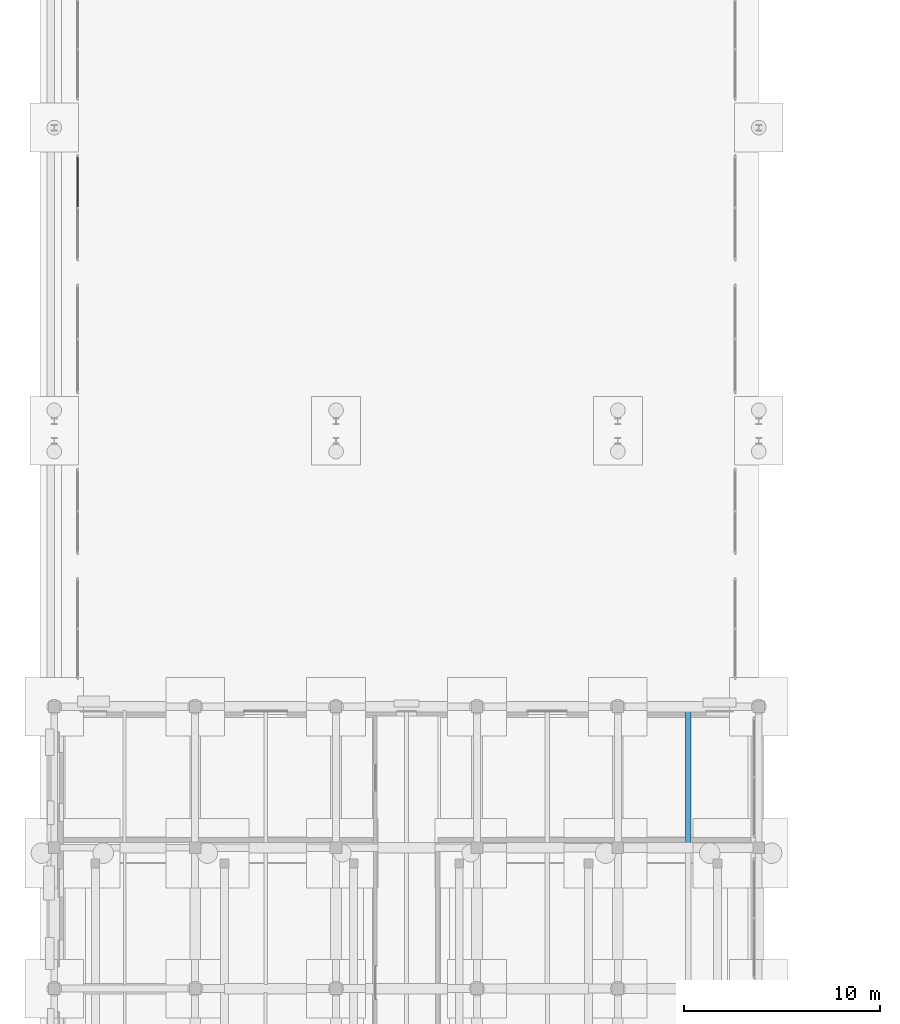
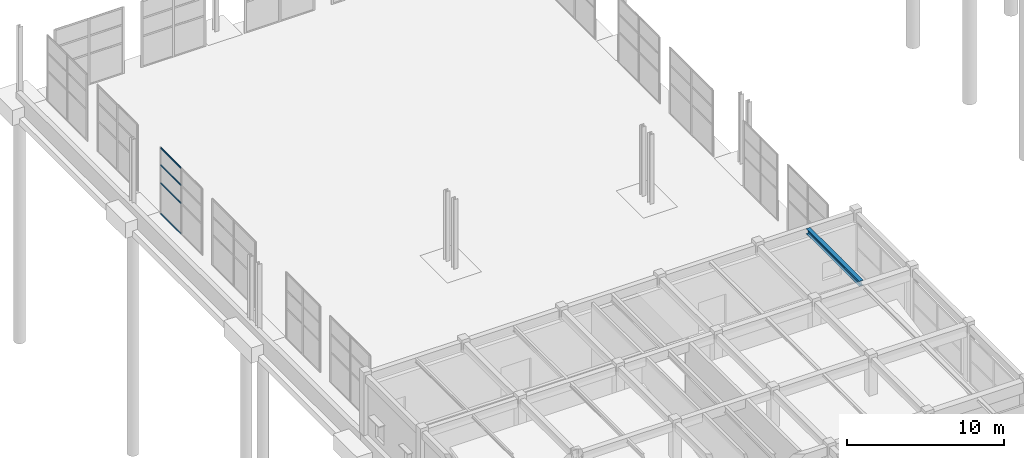
# One storey, part 35 of 91: 4 members, 1 beam, 1 element without a shape of its own.
"""IFC4 building model written with IfcOpenShell, lengths in metres."""

from ifc_helpers import new_model, si_unit, direction, frame, origin, origin_2d, place, context, subcontext, project, spatial, hollow_rectangle, i_section, extrude, material, material_profile, profile_set, type_object, element, aggregate, save


model = new_model("IFC4")

# Units and contexts
model_context = context("Model", 3, precision=1e-05, world=origin(), true_north=direction((0.0, 1.0)))
body_context = subcontext(model_context, "Body", "Model", "MODEL_VIEW")
ifc_project = project(units=[si_unit("LENGTHUNIT", "METRE"), si_unit("AREAUNIT", "SQUARE_METRE"), si_unit("VOLUMEUNIT", "CUBIC_METRE"), si_unit("PLANEANGLEUNIT", "RADIAN"), si_unit("MASSUNIT", "GRAM", prefix="KILO")], contexts=[model_context])

# Site, building, storey
site_placement = place(None, origin())
site = spatial("IfcSite", under=ifc_project, at=site_placement, CompositionType="ELEMENT")
building_placement = place(site_placement, origin())
building = spatial("IfcBuilding", under=site, at=building_placement, Name="Bramveld Media Centre", CompositionType="ELEMENT")
storey_placement = place(building_placement, origin())
storey = spatial("IfcBuildingStorey", under=building, at=storey_placement, Name="L00", CompositionType="ELEMENT", Elevation=0.0)

# Curtain wall, members
ifc_material_1 = material(Name="Thermally broken anodized bronze aluminium unitized curtain wall with solar-control triple glazing", Category="aluminium")
curtain_wall_type = type_object("IfcCurtainWallType", Name="CW-GAL-5300x5160", PredefinedType="NOTDEFINED", material=ifc_material_1)
curtain_wall_placement = place(storey_placement, origin())
curtain_wall = element("IfcCurtainWall", 1, at=curtain_wall_placement, inside=storey, type_object=curtain_wall_type, Name="COLN-W colonnade glazed screen 5", PredefinedType="NOTDEFINED")
ifc_material_2 = material(Name="Thermally broken anodized bronze aluminium EN AW-6063 T6 curtain-wall framing", Category="aluminium")
ifc_material_profile_1 = material_profile(ifc_material_2, hollow_rectangle(XDim=0.06005859375, YDim=0.1201171875, WallThickness=0.00341796875, InnerFilletRadius=0.00341796875, OuterFilletRadius=0.007080078125, at=origin_2d()), Name="AL-TRAN 60x120")
ifc_profile_set_1 = profile_set([ifc_material_profile_1], Name="Thermally broken anodized bronze aluminium EN AW-6063 T6 curtain-wall framing")
member_type = type_object("IfcMemberType", Name="CW-TRAN-EXT", PredefinedType="USERDEFINED", material=ifc_profile_set_1)
member_1_placement = place(storey_placement, frame((1.199951171875, 93.530029296875, 0.030029296875), z_axis=(0.0, 1.0, 0.0), x_axis=(-1.0, 0.0, 0.0)))
member_1 = element("IfcMember", 2, at=member_1_placement, type_object=member_type, Name="CW-GA-5351 transom 2.1", ObjectType="TRANSOM", PredefinedType="USERDEFINED", context=body_context, shape_type="SweptSolid", body=[
    extrude(hollow_rectangle(XDim=0.06005859375, YDim=0.1201171875, WallThickness=0.00341796875, InnerFilletRadius=0.00341796875, OuterFilletRadius=0.007080078125, at=origin_2d()), origin(), (0.0, 0.0, 1.0), 2.56005859375),
])
member_2_placement = place(storey_placement, frame((1.199951171875, 93.530029296875, 2.39990234375), z_axis=(0.0, 1.0, 0.0), x_axis=(-1.0, 0.0, 0.0)))
member_2 = element("IfcMember", 3, at=member_2_placement, type_object=member_type, Name="CW-GA-5351 transom 2.2", ObjectType="TRANSOM", PredefinedType="USERDEFINED", context=body_context, shape_type="SweptSolid", body=[
    extrude(hollow_rectangle(XDim=0.06005859375, YDim=0.1201171875, WallThickness=0.00341796875, InnerFilletRadius=0.00341796875, OuterFilletRadius=0.007080078125, at=origin_2d()), origin(), (0.0, 0.0, 1.0), 2.56005859375),
])
member_3_placement = place(storey_placement, frame((1.199951171875, 93.530029296875, 3.800048828125), z_axis=(0.0, 1.0, 0.0), x_axis=(-1.0, 0.0, 0.0)))
member_3 = element("IfcMember", 4, at=member_3_placement, type_object=member_type, Name="CW-GA-5351 transom 2.3", ObjectType="TRANSOM", PredefinedType="USERDEFINED", context=body_context, shape_type="SweptSolid", body=[
    extrude(hollow_rectangle(XDim=0.06005859375, YDim=0.1201171875, WallThickness=0.00341796875, InnerFilletRadius=0.00341796875, OuterFilletRadius=0.007080078125, at=origin_2d()), origin(), (0.0, 0.0, 1.0), 2.56005859375),
])
member_4_placement = place(storey_placement, frame((1.199951171875, 93.530029296875, 5.1298828125), z_axis=(0.0, 1.0, 0.0), x_axis=(-1.0, 0.0, 0.0)))
member_4 = element("IfcMember", 5, at=member_4_placement, type_object=member_type, Name="CW-GA-5351 transom 2.4", ObjectType="TRANSOM", PredefinedType="USERDEFINED", context=body_context, shape_type="SweptSolid", body=[
    extrude(hollow_rectangle(XDim=0.06005859375, YDim=0.1201171875, WallThickness=0.00341796875, InnerFilletRadius=0.00341796875, OuterFilletRadius=0.007080078125, at=origin_2d()), origin(), (0.0, 0.0, 1.0), 2.56005859375),
])
aggregate(curtain_wall, [member_1, member_2, member_3, member_4])

# Beam
ifc_material_3 = material(Name="Steel S355J2", Category="steel")
ifc_material_profile_2 = material_profile(ifc_material_3, i_section(OverallWidth=0.300048828125, OverallDepth=0.389892578125, WebThickness=0.010986328125, FlangeThickness=0.01904296875, FilletRadius=0.027099609375, at=origin_2d()), Name="HEA 400")
ifc_profile_set_2 = profile_set([ifc_material_profile_2], Name="Steel S355J2")
beam_type = type_object("IfcBeamType", Name="SBM-INT-HEA-400", PredefinedType="BEAM", material=ifc_profile_set_2)
beam_placement = place(storey_placement, frame((32.39990234375, 61.050048828125, 4.945068359375), z_axis=(0.0, 1.0, 0.0), x_axis=(-1.0, 0.0, 0.0)))
element("IfcBeam", 6, at=beam_placement, inside=storey, type_object=beam_type, Name="V3 L00 secondary floor joist 256", PredefinedType="BEAM", context=body_context, shape_type="SweptSolid", body=[
    extrude(i_section(OverallWidth=0.300048828125, OverallDepth=0.389892578125, WebThickness=0.010986328125, FlangeThickness=0.01904296875, FilletRadius=0.027099609375, at=origin_2d()), origin(), (0.0, 0.0, 1.0), 6.760009765625),
])

save(model, "model.ifc")
